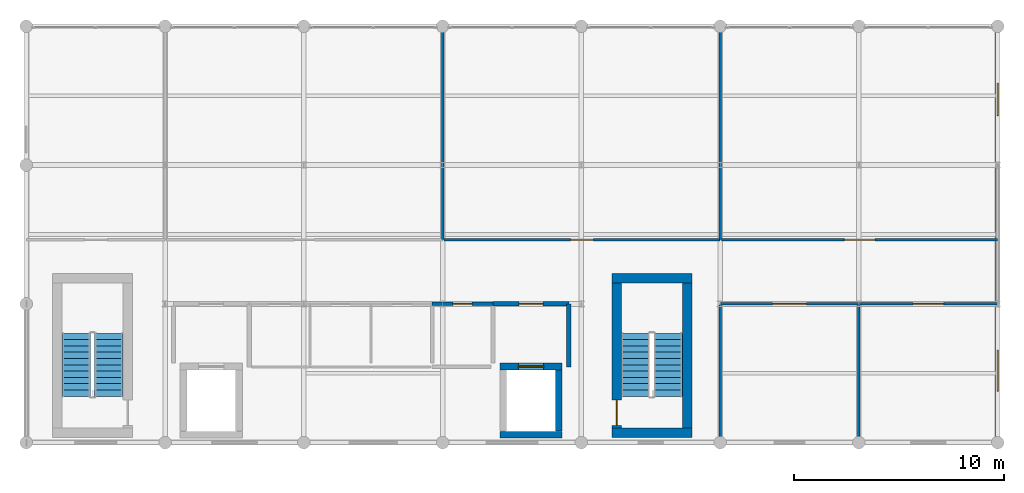
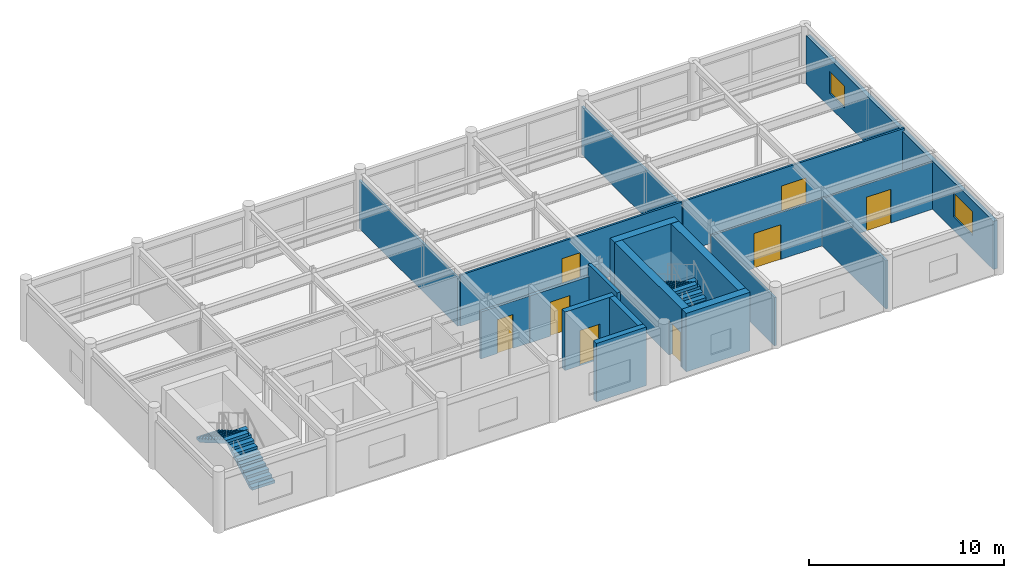
# One storey, part 16 of 17: 19 walls, 8 doors, 4 stair flights, 2 windows, 10 openings, 2 elements without a shape of their own.
"""IFC4 building model written with IfcOpenShell, lengths in metres."""

from ifc_helpers import new_model, si_unit, direction, frame, frame_2d, origin, place, context, subcontext, project, spatial, polyline, rectangle, outline, extrude, material, layer, layer_set, type_object, element, fill, aggregate, save


model = new_model("IFC4")

# Units and contexts
model_context = context("Model", 3, precision=1e-05, world=origin(), true_north=direction((0.0, 1.0)))
body_context = subcontext(model_context, "Body", "Model", "MODEL_VIEW")
ifc_project = project(units=[si_unit("LENGTHUNIT", "METRE"), si_unit("AREAUNIT", "SQUARE_METRE"), si_unit("VOLUMEUNIT", "CUBIC_METRE"), si_unit("PLANEANGLEUNIT", "RADIAN"), si_unit("MASSUNIT", "GRAM", prefix="KILO")], contexts=[model_context])

# Site, building, storey
site_placement = place(None, origin())
site = spatial("IfcSite", under=ifc_project, at=site_placement, CompositionType="ELEMENT")
building_placement = place(site_placement, origin())
building = spatial("IfcBuilding", under=site, at=building_placement, Name="Karori Crest Natural Sciences Institute", CompositionType="ELEMENT")
storey_placement = place(building_placement, frame((0.0, 0.0, 38.14990234375)))
storey = spatial("IfcBuildingStorey", under=building, at=storey_placement, Name="L09", CompositionType="ELEMENT", Elevation=38.14990234375)

# Walls
ifc_material_1 = material(Name="Concrete 50 MPa", Category="concrete")
ifc_layer_1 = layer(ifc_material_1, 0.449951171875, Name="Concrete 50 MPa")
ifc_layer_set_1 = layer_set([ifc_layer_1], Name="Concrete 50 MPa")
wall_type_1 = type_object("IfcWallType", Name="IWT-01", PredefinedType="SHEAR", material=ifc_layer_set_1)
for number, where, z_axis, x_axis, name in (
    (1, (131.449951171875, 1.27490234375, 0.0), (0.0, 0.0, 1.0), (1.0, 0.0, 0.0), "Shear wall IW-0157"),
    (2, (131.449951171875, 8.625, 0.0), (0.0, 0.0, 1.0), (1.0, 0.0, 0.0), "Shear wall IW-0158"),
):
    element("IfcWall", number, at=place(storey_placement, frame(where, z_axis=z_axis, x_axis=x_axis)), inside=storey, type_object=wall_type_1, Name=name, PredefinedType="SHEAR", context=body_context, shape_type="SweptSolid", body=[
        extrude(rectangle(XDim=3.800048828125, YDim=0.449951171875, at=frame_2d((1.89990234375, 0.0))), origin(), (0.0, 0.0, 1.0), 3.670166015625),
    ])

# Wall, opening, door
wall_1_placement = place(storey_placement, frame((131.675048828125, 1.501953125, 0.0), z_axis=(0.0, 0.0, 1.0), x_axis=(0.0, 1.0, 0.0)))
wall_1 = element("IfcWall", 3, at=wall_1_placement, inside=storey, type_object=wall_type_1, Name="Shear wall IW-0159", PredefinedType="SHEAR", context=body_context, shape_type="SweptSolid", body=[
    extrude(rectangle(XDim=6.89599609375, YDim=0.449951171875, at=frame_2d((3.447998046875, 0.0))), origin(), (0.0, 0.0, 1.0), 3.670166015625),
])
opening_1_placement = place(wall_1_placement, frame((0.1201171875, 0.0, 0.0)))
opening_1 = element("IfcOpeningElement", 4, at=opening_1_placement, cuts=wall_1, Name="Opening ID-0040", PredefinedType="OPENING", context=body_context, shape_type="SweptSolid", body=[
    extrude(rectangle(XDim=1.199951171875, YDim=2.14990234375, at=frame_2d((0.60009765625, 1.074951171875))), frame((0.0, 0.23486328125, 0.0), z_axis=(0.0, -1.0, 0.0), x_axis=(1.0, 0.0, 0.0)), (0.0, 0.0, 1.0), 0.469970703125),
])
ifc_material_2 = material(Name="Stainless steel 316 and fire-rated timber", Category="steel")
door_type_1 = type_object("IfcDoorType", Name="IDT-01", OperationType="NOTDEFINED", PredefinedType="DOOR", material=ifc_material_2)
door_1_placement = place(opening_1_placement, origin())
door_1 = element("IfcDoor", 5, at=door_1_placement, inside=storey, type_object=door_type_1, Name="Stair ST-04 fire door ID-0040", OperationType="SINGLE_SWING_RIGHT", OverallHeight=2.14990234375, OverallWidth=1.199951171875, PredefinedType="DOOR", context=body_context, shape_type="SweptSolid", body=[
    extrude(rectangle(XDim=1.199951171875, YDim=2.14990234375, at=frame_2d((0.60009765625, 1.074951171875))), frame((0.0, 0.02490234375, 0.0), z_axis=(0.0, -1.0, 0.0), x_axis=(1.0, 0.0, 0.0)), (0.0, 0.0, 1.0), 0.050048828125),
])
fill(opening_1, door_1)

# Walls
wall_2_placement = place(storey_placement, frame((135.02490234375, 1.501953125, 0.0), z_axis=(0.0, 0.0, 1.0), x_axis=(0.0, 1.0, 0.0)))
element("IfcWall", 6, at=wall_2_placement, inside=storey, type_object=wall_type_1, Name="Shear wall IW-0160", PredefinedType="SHEAR", context=body_context, shape_type="SweptSolid", body=[
    extrude(rectangle(XDim=6.89599609375, YDim=0.449951171875, at=frame_2d((3.447998046875, 0.0))), origin(), (0.0, 0.0, 1.0), 3.670166015625),
])
ifc_layer_2 = layer(ifc_material_1, 0.320068359375, Name="Concrete 50 MPa")
ifc_layer_set_2 = layer_set([ifc_layer_2], Name="Concrete 50 MPa")
wall_type_2 = type_object("IfcWallType", Name="IWT-03", PredefinedType="SHEAR", material=ifc_layer_set_2)
wall_3_placement = place(storey_placement, frame((126.1201171875, 1.179931640625, 0.0), z_axis=(0.0, 0.0, 1.0), x_axis=(1.0, 0.0, 0.0)))
element("IfcWall", 7, at=wall_3_placement, inside=storey, type_object=wall_type_2, Name="Shear wall IW-0393", PredefinedType="SHEAR", context=body_context, shape_type="SweptSolid", body=[
    extrude(rectangle(XDim=2.9599609375, YDim=0.320068359375, at=frame_2d((1.47998046875, 0.0))), origin(), (0.0, 0.0, 1.0), 3.670166015625),
])

# Wall, opening, door
wall_4_placement = place(storey_placement, frame((126.1201171875, 4.419921875, 0.0), z_axis=(0.0, 0.0, 1.0), x_axis=(1.0, 0.0, 0.0)))
wall_4 = element("IfcWall", 8, at=wall_4_placement, inside=storey, type_object=wall_type_2, Name="Shear wall IW-0394", PredefinedType="SHEAR", context=body_context, shape_type="SweptSolid", body=[
    extrude(rectangle(XDim=2.9599609375, YDim=0.320068359375, at=frame_2d((1.47998046875, 0.0))), origin(), (0.0, 0.0, 1.0), 3.670166015625),
])
opening_2_placement = place(wall_4_placement, frame((0.8798828125, 0.0, 0.0)))
opening_2 = element("IfcOpeningElement", 9, at=opening_2_placement, cuts=wall_4, Name="Opening LD-0023", PredefinedType="OPENING", context=body_context, shape_type="SweptSolid", body=[
    extrude(rectangle(XDim=1.199951171875, YDim=2.199951171875, at=frame_2d((0.60009765625, 1.10009765625))), frame((0.0, 0.169921875, 0.0), z_axis=(0.0, -1.0, 0.0), x_axis=(1.0, 0.0, 0.0)), (0.0, 0.0, 1.0), 0.340087890625),
])
door_type_2 = type_object("IfcDoorType", Name="LDT-02", OperationType="SLIDING_TO_LEFT", PredefinedType="DOOR", material=ifc_material_2)
door_2_placement = place(opening_2_placement, origin())
door_2 = element("IfcDoor", 10, at=door_2_placement, inside=storey, type_object=door_type_2, Name="Lift LF-02 landing door LD-0023", OperationType="SLIDING_TO_LEFT", OverallHeight=2.199951171875, OverallWidth=1.199951171875, PredefinedType="DOOR", context=body_context, shape_type="SweptSolid", body=[
    extrude(rectangle(XDim=1.199951171875, YDim=2.199951171875, at=frame_2d((0.60009765625, 1.10009765625))), frame((0.0, 0.02490234375, 0.0), z_axis=(0.0, -1.0, 0.0), x_axis=(1.0, 0.0, 0.0)), (0.0, 0.0, 1.0), 0.050048828125),
])
fill(opening_2, door_2)

# Wall
wall_5_placement = place(storey_placement, frame((128.919921875, 1.342041015625, 0.0), z_axis=(0.0, 0.0, 1.0), x_axis=(0.0, 1.0, 0.0)))
element("IfcWall", 11, at=wall_5_placement, inside=storey, type_object=wall_type_2, Name="Shear wall IW-0396", PredefinedType="SHEAR", context=body_context, shape_type="SweptSolid", body=[
    extrude(rectangle(XDim=2.916015625, YDim=0.320068359375, at=frame_2d((1.4580078125, 0.0))), origin(), (0.0, 0.0, 1.0), 3.670166015625),
])

# Wall, opening, door
ifc_material_3 = material(Name="Concrete 40 MPa", Category="concrete")
ifc_layer_3 = layer(ifc_material_3, 0.199951171875, Name="Concrete 40 MPa")
ifc_layer_set_3 = layer_set([ifc_layer_3], Name="Concrete 40 MPa")
wall_type_3 = type_object("IfcWallType", Name="IWT-04", PredefinedType="SOLIDWALL", material=ifc_layer_set_3)
wall_6_placement = place(storey_placement, frame((125.800048828125, 7.39990234375, 0.0), z_axis=(0.0, 0.0, 1.0), x_axis=(1.0, 0.0, 0.0)))
wall_6 = element("IfcWall", 12, at=wall_6_placement, inside=storey, type_object=wall_type_3, Name="Partition wall IW-0841", PredefinedType="SOLIDWALL", context=body_context, shape_type="SweptSolid", body=[
    extrude(rectangle(XDim=3.599853515625, YDim=0.199951171875, at=frame_2d((1.7998046875, 0.0))), origin(), (0.0, 0.0, 1.0), 2.943115234375),
])
opening_3_placement = place(wall_6_placement, frame((1.22509765625, 0.0, 0.0)))
opening_3 = element("IfcOpeningElement", 13, at=opening_3_placement, cuts=wall_6, Name="Opening ID-0200", PredefinedType="OPENING", context=body_context, shape_type="SweptSolid", body=[
    extrude(rectangle(XDim=1.14990234375, YDim=2.14990234375, at=frame_2d((0.574951171875, 1.074951171875))), frame((0.0, 0.10986328125, 0.0), z_axis=(0.0, -1.0, 0.0), x_axis=(1.0, 0.0, 0.0)), (0.0, 0.0, 1.0), 0.219970703125),
])
door_type_3 = type_object("IfcDoorType", Name="IDT-02", OperationType="NOTDEFINED", PredefinedType="DOOR", material=ifc_material_2)
door_3_placement = place(opening_3_placement, origin())
door_3 = element("IfcDoor", 14, at=door_3_placement, inside=storey, type_object=door_type_3, Name="Firefighting Lift Lobby East door ID-0200", OperationType="SINGLE_SWING_LEFT", OverallHeight=2.14990234375, OverallWidth=1.14990234375, PredefinedType="DOOR", context=body_context, shape_type="SweptSolid", body=[
    extrude(rectangle(XDim=1.14990234375, YDim=2.14990234375, at=frame_2d((0.574951171875, 1.074951171875))), frame((0.0, 0.02490234375, 0.0), z_axis=(0.0, -1.0, 0.0), x_axis=(1.0, 0.0, 0.0)), (0.0, 0.0, 1.0), 0.050048828125),
])
fill(opening_3, door_3)

# Wall
wall_7_placement = place(storey_placement, frame((129.39990234375, 4.39990234375, 0.0), z_axis=(0.0, 0.0, 1.0), x_axis=(0.0, 1.0, 0.0)))
element("IfcWall", 15, at=wall_7_placement, inside=storey, type_object=wall_type_3, Name="Partition wall IW-0843", PredefinedType="SOLIDWALL", context=body_context, shape_type="SweptSolid", body=[
    extrude(rectangle(XDim=3.0, YDim=0.199951171875, at=frame_2d((1.5, 0.0))), origin(), (0.0, 0.0, 1.0), 3.670166015625),
])

# Wall, opening, door
ifc_material_4 = material(Name="Acoustic steel-stud fireboard partition", Category="steel")
ifc_layer_4 = layer(ifc_material_4, 0.159912109375, Name="Acoustic steel-stud fireboard partition")
ifc_layer_set_4 = layer_set([ifc_layer_4], Name="Acoustic steel-stud fireboard partition")
wall_type_4 = type_object("IfcWallType", Name="IWT-05", PredefinedType="PARTITIONING", material=ifc_layer_set_4)
wall_8_placement = place(storey_placement, frame((122.89990234375, 7.39990234375, 0.0), z_axis=(0.0, 0.0, 1.0), x_axis=(1.0, 0.0, 0.0)))
wall_8 = element("IfcWall", 16, at=wall_8_placement, inside=storey, type_object=wall_type_4, Name="Partition wall IW-0845", PredefinedType="PARTITIONING", context=body_context, shape_type="SweptSolid", body=[
    extrude(rectangle(XDim=2.898193359375, YDim=0.159912109375, at=frame_2d((1.44921875, 0.0))), origin(), (0.0, 0.0, 1.0), 2.943115234375),
])
opening_4_placement = place(wall_8_placement, frame((0.989013671875, 0.0, 0.0)))
opening_4 = element("IfcOpeningElement", 17, at=opening_4_placement, cuts=wall_8, Name="Opening ID-0201", PredefinedType="OPENING", context=body_context, shape_type="SweptSolid", body=[
    extrude(rectangle(XDim=0.919921875, YDim=2.1201171875, at=frame_2d((0.4599609375, 1.06005859375))), frame((0.0, 0.08984375, 0.0), z_axis=(0.0, -1.0, 0.0), x_axis=(1.0, 0.0, 0.0)), (0.0, 0.0, 1.0), 0.179931640625),
])
door_type_4 = type_object("IfcDoorType", Name="IDT-14", OperationType="NOTDEFINED", PredefinedType="DOOR", material=ifc_material_2)
door_4_placement = place(opening_4_placement, origin())
door_4 = element("IfcDoor", 18, at=door_4_placement, inside=storey, type_object=door_type_4, Name="Research Archive Store door ID-0201", OperationType="SINGLE_SWING_RIGHT", OverallHeight=2.1201171875, OverallWidth=0.919921875, PredefinedType="DOOR", context=body_context, shape_type="SweptSolid", body=[
    extrude(rectangle(XDim=0.919921875, YDim=2.1201171875, at=frame_2d((0.4599609375, 1.06005859375))), frame((0.0, 0.02490234375, 0.0), z_axis=(0.0, -1.0, 0.0), x_axis=(1.0, 0.0, 0.0)), (0.0, 0.0, 1.0), 0.050048828125),
])
fill(opening_4, door_4)

ifc_material_5 = material(Name="Write-up office acoustic partition")
ifc_layer_5 = layer(ifc_material_5, 0.1201171875, Name="Write-up office acoustic partition")
ifc_layer_set_5 = layer_set([ifc_layer_5], Name="Write-up office acoustic partition")
wall_type_5 = type_object("IfcWallType", Name="IWT-08", PredefinedType="PARTITIONING", material=ifc_layer_set_5)
wall_9_placement = place(storey_placement, frame((136.60009765625, 7.39990234375, 0.0), z_axis=(0.0, 0.0, 1.0), x_axis=(1.0, 0.0, 0.0)))
wall_9 = element("IfcWall", 19, at=wall_9_placement, inside=storey, type_object=wall_type_5, Name="Partition wall IW-0855", PredefinedType="PARTITIONING", context=body_context, shape_type="SweptSolid", body=[
    extrude(rectangle(XDim=6.599853515625, YDim=0.1201171875, at=frame_2d((3.2998046875, 0.0))), origin(), (0.0, 0.0, 1.0), 2.943115234375),
])
opening_5_placement = place(wall_9_placement, frame((2.5, 0.0, 0.0)))
opening_5 = element("IfcOpeningElement", 20, at=opening_5_placement, cuts=wall_9, Name="Opening ID-0205", PredefinedType="OPENING", context=body_context, shape_type="SweptSolid", body=[
    extrude(rectangle(XDim=1.60009765625, YDim=2.179931640625, at=frame_2d((0.800048828125, 1.08984375))), frame((0.0, 0.070068359375, 0.0), z_axis=(0.0, -1.0, 0.0), x_axis=(1.0, 0.0, 0.0)), (0.0, 0.0, 1.0), 0.14013671875),
])
ifc_material_6 = material(Name="Anodised aluminium and acoustic timber", Category="wood")
door_type_5 = type_object("IfcDoorType", Name="IDT-13", OperationType="DOUBLE_DOOR_SINGLE_SWING", PredefinedType="DOOR", material=ifc_material_6)
door_5_placement = place(opening_5_placement, origin())
door_5 = element("IfcDoor", 21, at=door_5_placement, inside=storey, type_object=door_type_5, Name="Seminar Room door ID-0205", OperationType="DOUBLE_DOOR_SINGLE_SWING", OverallHeight=2.179931640625, OverallWidth=1.60009765625, PredefinedType="DOOR", context=body_context, shape_type="SweptSolid", body=[
    extrude(rectangle(XDim=1.60009765625, YDim=2.179931640625, at=frame_2d((0.800048828125, 1.08984375))), frame((0.0, 0.02490234375, 0.0), z_axis=(0.0, -1.0, 0.0), x_axis=(1.0, 0.0, 0.0)), (0.0, 0.0, 1.0), 0.050048828125),
])
fill(opening_5, door_5)

# Walls
wall_10_placement = place(storey_placement, frame((136.60009765625, 0.800048828125, 0.0), z_axis=(0.0, 0.0, 1.0), x_axis=(0.0, 1.0, 0.0)))
element("IfcWall", 22, at=wall_10_placement, inside=storey, type_object=wall_type_5, Name="Partition wall IW-0856", PredefinedType="PARTITIONING", context=body_context, shape_type="SweptSolid", body=[
    extrude(rectangle(XDim=6.537841796875, YDim=0.1201171875, at=frame_2d((3.26904296875, 0.0))), origin(), (0.0, 0.0, 1.0), 3.022216796875),
])
wall_11_placement = place(storey_placement, frame((143.199951171875, 0.800048828125, 0.0), z_axis=(0.0, 0.0, 1.0), x_axis=(0.0, 1.0, 0.0)))
element("IfcWall", 23, at=wall_11_placement, inside=storey, type_object=wall_type_5, Name="Partition wall IW-0857", PredefinedType="PARTITIONING", context=body_context, shape_type="SweptSolid", body=[
    extrude(rectangle(XDim=6.599853515625, YDim=0.1201171875, at=frame_2d((3.2998046875, 0.0))), origin(), (0.0, 0.0, 1.0), 3.022216796875),
])

# Wall, opening, door
wall_12_placement = place(storey_placement, frame((143.201904296875, 7.39990234375, 0.0), z_axis=(0.0, 0.0, 1.0), x_axis=(1.0, 0.0, 0.0)))
wall_12 = element("IfcWall", 24, at=wall_12_placement, inside=storey, type_object=wall_type_5, Name="Partition wall IW-0858", PredefinedType="PARTITIONING", context=body_context, shape_type="SweptSolid", body=[
    extrude(rectangle(XDim=6.59814453125, YDim=0.1201171875, at=frame_2d((3.299072265625, 0.0))), origin(), (0.0, 0.0, 1.0), 2.943115234375),
])
opening_6_placement = place(wall_12_placement, frame((2.573974609375, 0.0, 0.0)))
opening_6 = element("IfcOpeningElement", 25, at=opening_6_placement, cuts=wall_12, Name="Opening ID-0206", PredefinedType="OPENING", context=body_context, shape_type="SweptSolid", body=[
    extrude(rectangle(XDim=1.449951171875, YDim=2.1201171875, at=frame_2d((0.72509765625, 1.06005859375))), frame((0.0, 0.070068359375, 0.0), z_axis=(0.0, -1.0, 0.0), x_axis=(1.0, 0.0, 0.0)), (0.0, 0.0, 1.0), 0.14013671875),
])
door_type_6 = type_object("IfcDoorType", Name="IDT-11", OperationType="DOUBLE_DOOR_SINGLE_SWING", PredefinedType="DOOR", material=ifc_material_6)
door_6_placement = place(opening_6_placement, origin())
door_6 = element("IfcDoor", 26, at=door_6_placement, inside=storey, type_object=door_type_6, Name="Colloquium Suite door ID-0206", OperationType="DOUBLE_DOOR_SINGLE_SWING", OverallHeight=2.1201171875, OverallWidth=1.449951171875, PredefinedType="DOOR", context=body_context, shape_type="SweptSolid", body=[
    extrude(rectangle(XDim=1.449951171875, YDim=2.1201171875, at=frame_2d((0.72509765625, 1.06005859375))), frame((0.0, 0.02490234375, 0.0), z_axis=(0.0, -1.0, 0.0), x_axis=(1.0, 0.0, 0.0)), (0.0, 0.0, 1.0), 0.050048828125),
])
fill(opening_6, door_6)

# Wall
wall_13_placement = place(storey_placement, frame((123.39990234375, 10.449951171875, 0.0), z_axis=(0.0, 0.0, 1.0), x_axis=(0.0, 1.0, 0.0)))
element("IfcWall", 27, at=wall_13_placement, inside=storey, type_object=wall_type_5, Name="Partition wall IW-0862", PredefinedType="PARTITIONING", context=body_context, shape_type="SweptSolid", body=[
    extrude(rectangle(XDim=10.150146484375, YDim=0.1201171875, at=frame_2d((5.0751953125, 0.0))), origin(), (0.0, 0.0, 1.0), 3.022216796875),
])

# Wall, opening, door
wall_14_placement = place(storey_placement, frame((123.4619140625, 10.449951171875, 0.0), z_axis=(0.0, 0.0, 1.0), x_axis=(1.0, 0.0, 0.0)))
wall_14 = element("IfcWall", 28, at=wall_14_placement, inside=storey, type_object=wall_type_5, Name="Partition wall IW-0863", PredefinedType="PARTITIONING", context=body_context, shape_type="SweptSolid", body=[
    extrude(rectangle(XDim=13.13818359375, YDim=0.1201171875, at=frame_2d((6.569091796875, 0.0))), origin(), (0.0, 0.0, 1.0), 3.196044921875),
])
opening_7_placement = place(wall_14_placement, frame((6.029052734375, 0.0, 0.0)))
opening_7 = element("IfcOpeningElement", 29, at=opening_7_placement, cuts=wall_14, Name="Opening ID-0209", PredefinedType="OPENING", context=body_context, shape_type="SweptSolid", body=[
    extrude(rectangle(XDim=1.080078125, YDim=2.1201171875, at=frame_2d((0.5400390625, 1.06005859375))), frame((0.0, 0.070068359375, 0.0), z_axis=(0.0, -1.0, 0.0), x_axis=(1.0, 0.0, 0.0)), (0.0, 0.0, 1.0), 0.14013671875),
])
door_type_7 = type_object("IfcDoorType", Name="IDT-12", OperationType="NOTDEFINED", PredefinedType="DOOR", material=ifc_material_6)
door_7_placement = place(opening_7_placement, origin())
door_7 = element("IfcDoor", 30, at=door_7_placement, inside=storey, type_object=door_type_7, Name="Bioinformatics Studio door ID-0209", OperationType="SINGLE_SWING_RIGHT", OverallHeight=2.1201171875, OverallWidth=1.080078125, PredefinedType="DOOR", context=body_context, shape_type="SweptSolid", body=[
    extrude(rectangle(XDim=1.080078125, YDim=2.1201171875, at=frame_2d((0.5400390625, 1.06005859375))), frame((0.0, 0.02490234375, 0.0), z_axis=(0.0, -1.0, 0.0), x_axis=(1.0, 0.0, 0.0)), (0.0, 0.0, 1.0), 0.050048828125),
])
fill(opening_7, door_7)

# Wall
wall_15_placement = place(storey_placement, frame((136.60009765625, 10.449951171875, 0.0), z_axis=(0.0, 0.0, 1.0), x_axis=(0.0, 1.0, 0.0)))
element("IfcWall", 31, at=wall_15_placement, inside=storey, type_object=wall_type_5, Name="Partition wall IW-0864", PredefinedType="PARTITIONING", context=body_context, shape_type="SweptSolid", body=[
    extrude(rectangle(XDim=10.150146484375, YDim=0.1201171875, at=frame_2d((5.0751953125, 0.0))), origin(), (0.0, 0.0, 1.0), 3.022216796875),
])

# Wall, opening, door
wall_16_placement = place(storey_placement, frame((136.662109375, 10.449951171875, 0.0), z_axis=(0.0, 0.0, 1.0), x_axis=(1.0, 0.0, 0.0)))
wall_16 = element("IfcWall", 32, at=wall_16_placement, inside=storey, type_object=wall_type_5, Name="Partition wall IW-0865", PredefinedType="PARTITIONING", context=body_context, shape_type="SweptSolid", body=[
    extrude(rectangle(XDim=13.137939453125, YDim=0.1201171875, at=frame_2d((6.56884765625, 0.0))), origin(), (0.0, 0.0, 1.0), 3.196044921875),
])
opening_8_placement = place(wall_16_placement, frame((5.843994140625, 0.0, 0.0)))
opening_8 = element("IfcOpeningElement", 33, at=opening_8_placement, cuts=wall_16, Name="Opening ID-0210", PredefinedType="OPENING", context=body_context, shape_type="SweptSolid", body=[
    extrude(rectangle(XDim=1.449951171875, YDim=2.1201171875, at=frame_2d((0.72509765625, 1.06005859375))), frame((0.0, 0.070068359375, 0.0), z_axis=(0.0, -1.0, 0.0), x_axis=(1.0, 0.0, 0.0)), (0.0, 0.0, 1.0), 0.14013671875),
])
door_8_placement = place(opening_8_placement, origin())
door_8 = element("IfcDoor", 34, at=door_8_placement, inside=storey, type_object=door_type_6, Name="Seminar Room door ID-0210", OperationType="DOUBLE_DOOR_SINGLE_SWING", OverallHeight=2.1201171875, OverallWidth=1.449951171875, PredefinedType="DOOR", context=body_context, shape_type="SweptSolid", body=[
    extrude(rectangle(XDim=1.449951171875, YDim=2.1201171875, at=frame_2d((0.72509765625, 1.06005859375))), frame((0.0, 0.02490234375, 0.0), z_axis=(0.0, -1.0, 0.0), x_axis=(1.0, 0.0, 0.0)), (0.0, 0.0, 1.0), 0.050048828125),
])
fill(opening_8, door_8)

# Wall, openings, windows
ifc_material_7 = material(Name="Precast concrete 40 MPa", Category="concrete")
ifc_layer_6 = layer(ifc_material_7, 0.239990234375, Name="Precast concrete 40 MPa")
ifc_layer_set_6 = layer_set([ifc_layer_6], Name="Precast concrete 40 MPa")
wall_type_6 = type_object("IfcWallType", Name="WT-04", PredefinedType="SOLIDWALL", material=ifc_layer_set_6)
wall_17_placement = place(storey_placement, frame((149.800048828125, 20.302001953125, 0.0), z_axis=(0.0, 0.0, 1.0), x_axis=(0.0, -1.0, 0.0)))
wall_17 = element("IfcWall", 35, at=wall_17_placement, inside=storey, type_object=wall_type_6, Name="Exterior wall EW-0222", PredefinedType="SOLIDWALL", context=body_context, shape_type="SweptSolid", body=[
    extrude(rectangle(XDim=19.2041015625, YDim=0.239990234375, at=frame_2d((9.60205078125, 0.0))), origin(), (0.0, 0.0, 1.0), 3.022216796875),
])
opening_9_placement = place(wall_17_placement, frame((2.39990234375, 0.0, 0.85009765625)))
opening_9 = element("IfcOpeningElement", 36, at=opening_9_placement, cuts=wall_17, Name="Opening WN-0223", PredefinedType="OPENING", context=body_context, shape_type="SweptSolid", body=[
    extrude(rectangle(XDim=1.550048828125, YDim=1.39990234375, at=frame_2d((0.77490234375, 0.699951171875))), frame((0.0, 0.1298828125, 0.0), z_axis=(0.0, -1.0, 0.0), x_axis=(1.0, 0.0, 0.0)), (0.0, 0.0, 1.0), 0.260009765625),
])
opening_10_placement = place(wall_17_placement, frame((15.10009765625, 0.0, 0.85009765625)))
opening_10 = element("IfcOpeningElement", 37, at=opening_10_placement, cuts=wall_17, Name="Opening WN-0224", PredefinedType="OPENING", context=body_context, shape_type="SweptSolid", body=[
    extrude(rectangle(XDim=1.949951171875, YDim=1.5, at=frame_2d((0.97509765625, 0.75))), frame((0.0, 0.1298828125, 0.0), z_axis=(0.0, -1.0, 0.0), x_axis=(1.0, 0.0, 0.0)), (0.0, 0.0, 1.0), 0.260009765625),
])
ifc_material_8 = material(Name="Double low-E laminated glass", Category="glass")
window_type_1 = type_object("IfcWindowType", Name="WNT-04", PartitioningType="SINGLE_PANEL", PredefinedType="WINDOW", material=ifc_material_8)
window_1_placement = place(opening_9_placement, origin())
window_1 = element("IfcWindow", 38, at=window_1_placement, inside=storey, type_object=window_type_1, Name="Window WN-0223", OverallHeight=1.39990234375, OverallWidth=1.550048828125, PartitioningType="SINGLE_PANEL", PredefinedType="WINDOW", context=body_context, shape_type="SweptSolid", body=[
    extrude(rectangle(XDim=1.550048828125, YDim=1.39990234375, at=frame_2d((0.77490234375, 0.699951171875))), frame((0.0, 0.030029296875, 0.0), z_axis=(0.0, -1.0, 0.0), x_axis=(1.0, 0.0, 0.0)), (0.0, 0.0, 1.0), 0.06005859375),
])
fill(opening_9, window_1)
window_type_2 = type_object("IfcWindowType", Name="WNT-21", PartitioningType="SINGLE_PANEL", PredefinedType="WINDOW", material=ifc_material_8)
window_2_placement = place(opening_10_placement, origin())
window_2 = element("IfcWindow", 39, at=window_2_placement, inside=storey, type_object=window_type_2, Name="Window WN-0224", OverallHeight=1.5, OverallWidth=1.949951171875, PartitioningType="SINGLE_PANEL", PredefinedType="WINDOW", context=body_context, shape_type="SweptSolid", body=[
    extrude(rectangle(XDim=1.949951171875, YDim=1.5, at=frame_2d((0.97509765625, 0.75))), frame((0.0, 0.030029296875, 0.0), z_axis=(0.0, -1.0, 0.0), x_axis=(1.0, 0.0, 0.0)), (0.0, 0.0, 1.0), 0.06005859375),
])
fill(opening_10, window_2)

# Stair, stair flights
stair_type = type_object("IfcStairType", Name="STT-03", PredefinedType="HALF_TURN_STAIR", material=ifc_material_3)
stair_1_placement = place(storey_placement, origin())
stair_1 = element("IfcStair", 40, at=stair_1_placement, inside=storey, type_object=stair_type, Name="Protected stair ST-03-L09", PredefinedType="HALF_TURN_STAIR")
stair_flight_type = type_object("IfcStairFlightType", Name="SFT-03", PredefinedType="STRAIGHT", material=ifc_material_3)
stair_flight_1_placement = place(storey_placement, frame((107.52490234375, 3.0, 0.0), z_axis=(0.0, 0.0, 1.0), x_axis=(0.0, 1.0, 0.0)))
stair_flight_1 = element("IfcStairFlight", 41, at=stair_flight_1_placement, type_object=stair_flight_type, Name="ST-03-L09 flight 1", NumberOfRisers=11, NumberOfTreads=10, PredefinedType="STRAIGHT", RiserHeight=0.175, TreadLength=0.3, context=body_context, shape_type="SweptSolid", body=[
    extrude(outline(polyline([(0.0, 0.0), (0.0, 0.175048828125), (0.300048828125, 0.175048828125), (0.300048828125, 0.35009765625), (0.60009765625, 0.35009765625), (0.60009765625, 0.52490234375), (0.89990234375, 0.52490234375), (0.89990234375, 0.699951171875), (1.199951171875, 0.699951171875), (1.199951171875, 0.875), (1.5, 0.875), (1.5, 1.050048828125), (1.800048828125, 1.050048828125), (1.800048828125, 1.22509765625), (2.10009765625, 1.22509765625), (2.10009765625, 1.39990234375), (2.39990234375, 1.39990234375), (2.39990234375, 1.574951171875), (2.699951171875, 1.574951171875), (2.699951171875, 1.75), (3.0, 1.75), (3.0, 1.925048828125), (3.0, 1.56494140625), (0.3173828125, 0.0), (0.0, 0.0)])), frame((0.0, 0.675048828125, 0.0), z_axis=(0.0, -1.0, 0.0), x_axis=(1.0, 0.0, 0.0)), (0.0, 0.0, 1.0), 1.35009765625),
])
stair_flight_2_placement = place(storey_placement, frame((105.97509765625, 6.0, 1.925048828125), z_axis=(0.0, 0.0, 1.0), x_axis=(0.0, -1.0, 0.0)))
stair_flight_2 = element("IfcStairFlight", 42, at=stair_flight_2_placement, type_object=stair_flight_type, Name="ST-03-L09 flight 2", NumberOfRisers=11, NumberOfTreads=10, PredefinedType="STRAIGHT", RiserHeight=0.175, TreadLength=0.3, context=body_context, shape_type="SweptSolid", body=[
    extrude(outline(polyline([(0.0, 0.0), (0.0, 0.175048828125), (0.300048828125, 0.175048828125), (0.300048828125, 0.35009765625), (0.60009765625, 0.35009765625), (0.60009765625, 0.52490234375), (0.89990234375, 0.52490234375), (0.89990234375, 0.699951171875), (1.199951171875, 0.699951171875), (1.199951171875, 0.875), (1.5, 0.875), (1.5, 1.050048828125), (1.800048828125, 1.050048828125), (1.800048828125, 1.22509765625), (2.10009765625, 1.22509765625), (2.10009765625, 1.39990234375), (2.39990234375, 1.39990234375), (2.39990234375, 1.574951171875), (2.699951171875, 1.574951171875), (2.699951171875, 1.75), (3.0, 1.75), (3.0, 1.925048828125), (3.0, 1.56494140625), (0.3173828125, 0.0), (0.0, 0.0)])), frame((0.0, 0.675048828125, 0.0), z_axis=(0.0, -1.0, 0.0), x_axis=(1.0, 0.0, 0.0)), (0.0, 0.0, 1.0), 1.35009765625),
])
aggregate(stair_1, [stair_flight_1, stair_flight_2])

stair_2_placement = place(storey_placement, origin())
stair_2 = element("IfcStair", 43, at=stair_2_placement, inside=storey, type_object=stair_type, Name="Protected stair ST-04-L09", PredefinedType="HALF_TURN_STAIR")
stair_flight_3_placement = place(storey_placement, frame((134.125, 3.0, 0.0), z_axis=(0.0, 0.0, 1.0), x_axis=(0.0, 1.0, 0.0)))
stair_flight_3 = element("IfcStairFlight", 44, at=stair_flight_3_placement, type_object=stair_flight_type, Name="ST-04-L09 flight 1", NumberOfRisers=11, NumberOfTreads=10, PredefinedType="STRAIGHT", RiserHeight=0.175, TreadLength=0.3, context=body_context, shape_type="SweptSolid", body=[
    extrude(outline(polyline([(0.0, 0.0), (0.0, 0.175048828125), (0.300048828125, 0.175048828125), (0.300048828125, 0.35009765625), (0.60009765625, 0.35009765625), (0.60009765625, 0.52490234375), (0.89990234375, 0.52490234375), (0.89990234375, 0.699951171875), (1.199951171875, 0.699951171875), (1.199951171875, 0.875), (1.5, 0.875), (1.5, 1.050048828125), (1.800048828125, 1.050048828125), (1.800048828125, 1.22509765625), (2.10009765625, 1.22509765625), (2.10009765625, 1.39990234375), (2.39990234375, 1.39990234375), (2.39990234375, 1.574951171875), (2.699951171875, 1.574951171875), (2.699951171875, 1.75), (3.0, 1.75), (3.0, 1.925048828125), (3.0, 1.56494140625), (0.3173828125, 0.0), (0.0, 0.0)])), frame((0.0, 0.675048828125, 0.0), z_axis=(0.0, -1.0, 0.0), x_axis=(1.0, 0.0, 0.0)), (0.0, 0.0, 1.0), 1.35009765625),
])
stair_flight_4_placement = place(storey_placement, frame((132.574951171875, 6.0, 1.925048828125), z_axis=(0.0, 0.0, 1.0), x_axis=(0.0, -1.0, 0.0)))
stair_flight_4 = element("IfcStairFlight", 45, at=stair_flight_4_placement, type_object=stair_flight_type, Name="ST-04-L09 flight 2", NumberOfRisers=11, NumberOfTreads=10, PredefinedType="STRAIGHT", RiserHeight=0.175, TreadLength=0.3, context=body_context, shape_type="SweptSolid", body=[
    extrude(outline(polyline([(0.0, 0.0), (0.0, 0.175048828125), (0.300048828125, 0.175048828125), (0.300048828125, 0.35009765625), (0.60009765625, 0.35009765625), (0.60009765625, 0.52490234375), (0.89990234375, 0.52490234375), (0.89990234375, 0.699951171875), (1.199951171875, 0.699951171875), (1.199951171875, 0.875), (1.5, 0.875), (1.5, 1.050048828125), (1.800048828125, 1.050048828125), (1.800048828125, 1.22509765625), (2.10009765625, 1.22509765625), (2.10009765625, 1.39990234375), (2.39990234375, 1.39990234375), (2.39990234375, 1.574951171875), (2.699951171875, 1.574951171875), (2.699951171875, 1.75), (3.0, 1.75), (3.0, 1.925048828125), (3.0, 1.56494140625), (0.3173828125, 0.0), (0.0, 0.0)])), frame((0.0, 0.675048828125, 0.0), z_axis=(0.0, -1.0, 0.0), x_axis=(1.0, 0.0, 0.0)), (0.0, 0.0, 1.0), 1.35009765625),
])
aggregate(stair_2, [stair_flight_3, stair_flight_4])

save(model, "model.ifc")
